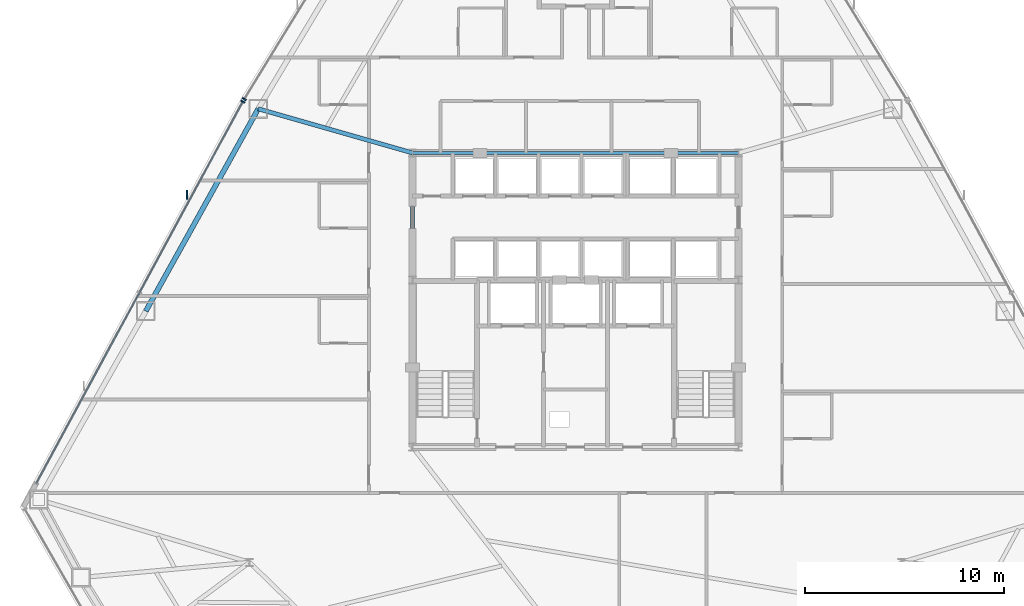
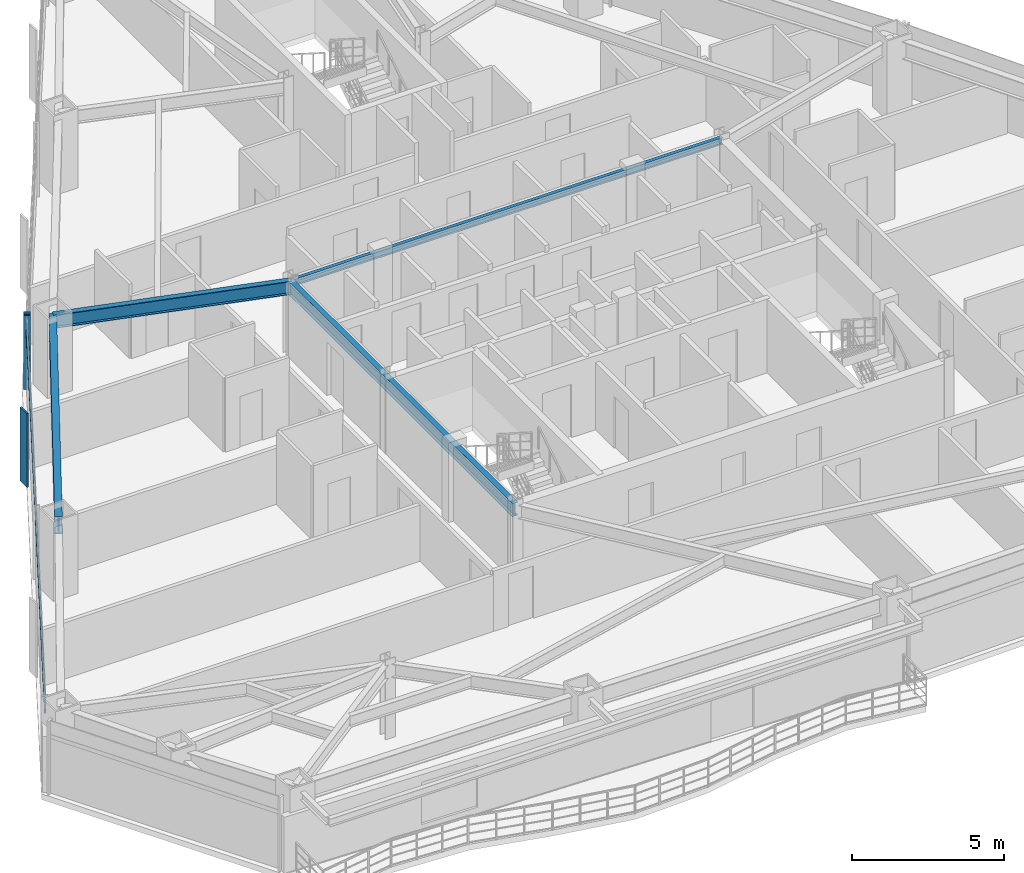
# One storey, part 5 of 14: 4 beams, 4 members, 2 elements without a shape of their own.
"""IFC4 building model written with IfcOpenShell, lengths in metres."""

from ifc_helpers import new_model, si_unit, direction, frame, origin, origin_2d, place, context, subcontext, project, spatial, rectangle, i_section, extrude, source, transform, mapped, material, layer, layer_set, material_profile, profile_set, type_object, type_shapes, element, aggregate, save


model = new_model("IFC4")

# Units and contexts
model_context = context("Model", 3, precision=1e-05, world=origin(), true_north=direction((0.0, 1.0)))
body_context = subcontext(model_context, "Body", "Model", "MODEL_VIEW")
ifc_project = project(units=[si_unit("LENGTHUNIT", "METRE"), si_unit("AREAUNIT", "SQUARE_METRE"), si_unit("VOLUMEUNIT", "CUBIC_METRE"), si_unit("PLANEANGLEUNIT", "RADIAN"), si_unit("MASSUNIT", "GRAM", prefix="KILO")], contexts=[model_context])

# Site, building, storey
site_placement = place(None, origin())
site = spatial("IfcSite", under=ifc_project, at=site_placement, CompositionType="ELEMENT")
building_placement = place(site_placement, origin())
building = spatial("IfcBuilding", under=site, at=building_placement, Name="Varakhsha Concourse Tower", CompositionType="ELEMENT")
storey_placement = place(building_placement, frame((0.0, 0.0, 105.39990234375)))
storey = spatial("IfcBuildingStorey", under=building, at=storey_placement, Name="L30", CompositionType="ELEMENT", Elevation=105.39990234375)

# Beams
ifc_material_1 = material(Name="Structural Steel ASTM A992 Grade 50", Category="steel")
ifc_material_profile_1 = material_profile(ifc_material_1, i_section(OverallWidth=0.14697265625, OverallDepth=0.261962890625, WebThickness=0.007080078125, FlangeThickness=0.010986328125, at=origin_2d()), Name="W10X26")
ifc_profile_set_1 = profile_set([ifc_material_profile_1], Name="Structural Steel ASTM A992 Grade 50")
beam_type_1 = type_object("IfcBeamType", Name="BM-LNTL-W10X26", PredefinedType="LINTEL", material=ifc_profile_set_1)
beam_1_placement = place(storey_placement, frame((31.800048828125, 31.199951171875, 2.839111328125), z_axis=(1.0, 0.0, 0.0), x_axis=(0.0, 1.0, 0.0)))
element("IfcBeam", 1, at=beam_1_placement, inside=storey, type_object=beam_type_1, Name="BM-TCORE-L30-CN", PredefinedType="LINTEL", context=body_context, shape_type="SweptSolid", body=[
    extrude(i_section(OverallWidth=0.14697265625, OverallDepth=0.261962890625, WebThickness=0.007080078125, FlangeThickness=0.010986328125, at=origin_2d()), origin(), (0.0, 0.0, 1.0), 16.39990234375),
])
ifc_material_profile_2 = material_profile(ifc_material_1, i_section(OverallWidth=0.2109375, OverallDepth=0.5390625, WebThickness=0.011962890625, FlangeThickness=0.01904296875, at=origin_2d()), Name="W21X73")
ifc_profile_set_2 = profile_set([ifc_material_profile_2], Name="Structural Steel ASTM A992 Grade 50")
beam_type_2 = type_object("IfcBeamType", Name="BM-RAD-W21X73", PredefinedType="BEAM", material=ifc_profile_set_2)
beam_2_placement = place(storey_placement, frame((31.800048828125, 16.39990234375, 2.70068359375), z_axis=(0.0, 1.0, 0.0), x_axis=(-1.0, 0.0, 0.0)))
element("IfcBeam", 2, at=beam_2_placement, inside=storey, type_object=beam_type_2, Name="BM-TCORE-L30-CW", PredefinedType="BEAM", context=body_context, shape_type="SweptSolid", body=[
    extrude(i_section(OverallWidth=0.2109375, OverallDepth=0.5390625, WebThickness=0.011962890625, FlangeThickness=0.01904296875, at=origin_2d()), origin(), (0.0, 0.0, 1.0), 14.800048828125),
])
beam_3_placement = place(storey_placement, frame((31.800048828125, 31.199951171875, 2.70068359375), z_axis=(-0.961591259635, 0.27448542656, 0.0), x_axis=(-0.27448542656, -0.961591259635, 0.0)))
element("IfcBeam", 3, at=beam_3_placement, inside=storey, type_object=beam_type_2, Name="L30 Radial Floor Girder 05", PredefinedType="BEAM", context=body_context, shape_type="SweptSolid", body=[
    extrude(i_section(OverallWidth=0.2109375, OverallDepth=0.5390625, WebThickness=0.011962890625, FlangeThickness=0.01904296875, at=origin_2d()), origin(), (0.0, 0.0, 1.0), 8.07177734375),
])
ifc_material_profile_3 = material_profile(ifc_material_1, i_section(OverallWidth=0.25390625, OverallDepth=0.701904296875, WebThickness=0.014892578125, FlangeThickness=0.028076171875, at=origin_2d()), Name="W27X129")
ifc_profile_set_3 = profile_set([ifc_material_profile_3], Name="Structural Steel ASTM A992 Grade 50")
beam_type_3 = type_object("IfcBeamType", Name="BM-SPAN-W27X129", PredefinedType="SPANDREL", material=ifc_profile_set_3)
beam_4_placement = place(storey_placement, frame((24.038330078125, 33.41552734375, 2.619140625), z_axis=(-0.485876116014, -0.874027688284, 0.0), x_axis=(0.874027688284, -0.485876116014, 0.0)))
element("IfcBeam", 4, at=beam_4_placement, inside=storey, type_object=beam_type_3, Name="BM-SPAN-L30-05", PredefinedType="SPANDREL", context=body_context, shape_type="SweptSolid", body=[
    extrude(i_section(OverallWidth=0.25390625, OverallDepth=0.701904296875, WebThickness=0.014892578125, FlangeThickness=0.028076171875, at=origin_2d()), origin(), (0.0, 0.0, 1.0), 11.644287109375),
])

# Curtain wall, member
ifc_material_2 = material(Name="Anodised Bronze Architectural Aluminium AA 6063-T6", Category="aluminium")
ifc_layer = layer(ifc_material_2, 0.199951171875, Name="CW-SYS-03")
ifc_layer_set = layer_set([ifc_layer], Name="Anodised Bronze Architectural Aluminium AA 6063-T6")
curtain_wall_type = type_object("IfcCurtainWallType", Name="CW-SYS-03", PredefinedType="NOTDEFINED", material=ifc_layer_set)
curtain_wall_1_placement = place(storey_placement, origin())
curtain_wall_1 = element("IfcCurtainWall", 5, at=curtain_wall_1_placement, inside=storey, type_object=curtain_wall_type, Name="L30 Crystal Curtain Wall F2", PredefinedType="NOTDEFINED")
ifc_material_profile_4 = material_profile(ifc_material_2, rectangle(XDim=0.074951171875, YDim=0.219970703125, at=origin_2d()), Name="CWM-220X75")
ifc_profile_set_4 = profile_set([ifc_material_profile_4], Name="Anodised Bronze Architectural Aluminium AA 6063-T6")
member_type_1 = type_object("IfcMemberType", Name="CWM-220X75", PredefinedType="MULLION", material=ifc_profile_set_4)
shared_shape_1 = source(origin(), body_context, "Body", "SweptSolid", [
    extrude(rectangle(XDim=0.074951171875, YDim=0.219970703125, at=origin_2d()), origin(), (0.0, 0.0, 1.0), 2.97021484375),
])
type_shapes(member_type_1, [shared_shape_1])
member_1_placement = place(storey_placement, frame((23.340087890625, 33.906005859375, 0.0), z_axis=(0.0, 0.0, 1.0), x_axis=(0.523664775253, 0.851924411646, 0.0)))
member_1 = element("IfcMember", 6, at=member_1_placement, type_object=member_type_1, Name="CW-L30-F2 Mullion 00", PredefinedType="MULLION", context=body_context, shape_type="MappedRepresentation", body=[
    mapped(shared_shape_1, transform((0.0, 0.0, 0.0), scale=1.0)),
])
aggregate(curtain_wall_1, [member_1])

# Curtain wall, members
curtain_wall_2_placement = place(storey_placement, origin())
curtain_wall_2 = element("IfcCurtainWall", 7, at=curtain_wall_2_placement, inside=storey, type_object=curtain_wall_type, Name="L30 Crystal Curtain Wall F3", PredefinedType="NOTDEFINED")
member_2_placement = place(storey_placement, frame((23.264404296875, 33.77490234375, 0.0), z_axis=(0.0, 0.0, 1.0), x_axis=(0.475958864887, 0.879467542855, 0.0)))
member_2 = element("IfcMember", 8, at=member_2_placement, type_object=member_type_1, Name="CW-L30-F3 Mullion 02", PredefinedType="MULLION", context=body_context, shape_type="MappedRepresentation", body=[
    mapped(shared_shape_1, transform((0.0, 0.0, 0.0), scale=1.0)),
])
ifc_material_profile_5 = material_profile(ifc_material_2, rectangle(XDim=0.06494140625, YDim=0.449951171875, at=origin_2d()), Name="FIN-BRZ-450")
ifc_profile_set_5 = profile_set([ifc_material_profile_5], Name="Anodised Bronze Architectural Aluminium AA 6063-T6")
member_type_2 = type_object("IfcMemberType", Name="FIN-BRZ-450", PredefinedType="USERDEFINED", material=ifc_profile_set_5)
shared_shape_2 = source(origin(), body_context, "Body", "SweptSolid", [
    extrude(rectangle(XDim=0.06494140625, YDim=0.449951171875, at=origin_2d()), origin(), (0.0, 0.0, 1.0), 2.97021484375),
])
type_shapes(member_type_2, [shared_shape_2])
member_3_placement = place(storey_placement, frame((20.454345703125, 29.086669921875, 0.0), z_axis=(0.0, 0.0, 1.0), x_axis=(1.0, 0.0, 0.0)))
member_3 = element("IfcMember", 9, at=member_3_placement, type_object=member_type_2, Name="L30 Anodised Bronze Solar Fin F3-2", ObjectType="SOLAR FIN", PredefinedType="USERDEFINED", context=body_context, shape_type="MappedRepresentation", body=[
    mapped(shared_shape_2, transform((0.0, 0.0, 0.0), scale=1.0)),
])
ifc_material_profile_6 = material_profile(ifc_material_2, rectangle(XDim=0.06494140625, YDim=0.159912109375, at=origin_2d()), Name="CWT-160X65")
ifc_profile_set_6 = profile_set([ifc_material_profile_6], Name="Anodised Bronze Architectural Aluminium AA 6063-T6")
member_type_3 = type_object("IfcMemberType", Name="CWT-160X65", PredefinedType="USERDEFINED", material=ifc_profile_set_6)
shared_shape_3 = source(origin(), body_context, "Body", "SweptSolid", [
    extrude(rectangle(XDim=0.06494140625, YDim=0.159912109375, at=origin_2d()), origin(), (0.0, 0.0, 1.0), 21.8427734375),
])
type_shapes(member_type_3, [shared_shape_3])
member_4_placement = place(storey_placement, frame((12.8681640625, 14.56494140625, 2.320068359375), z_axis=(0.475959052174, 0.879467441497, 0.0), x_axis=(-0.879467441497, 0.475959052174, 0.0)))
member_4 = element("IfcMember", 10, at=member_4_placement, type_object=member_type_3, Name="CW-L30-F3 Transom 01", ObjectType="TRANSOM", PredefinedType="USERDEFINED", context=body_context, shape_type="MappedRepresentation", body=[
    mapped(shared_shape_3, transform((0.0, 0.0, 0.0), scale=1.0)),
])
aggregate(curtain_wall_2, [member_2, member_4, member_3])

save(model, "model.ifc")
